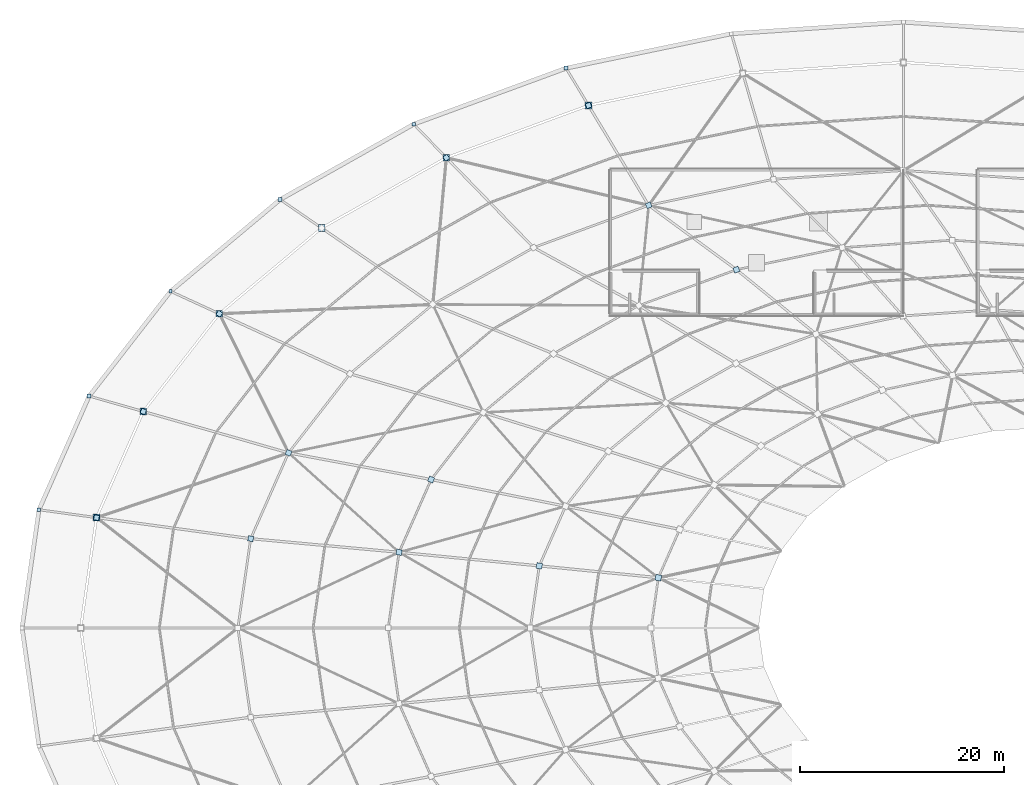
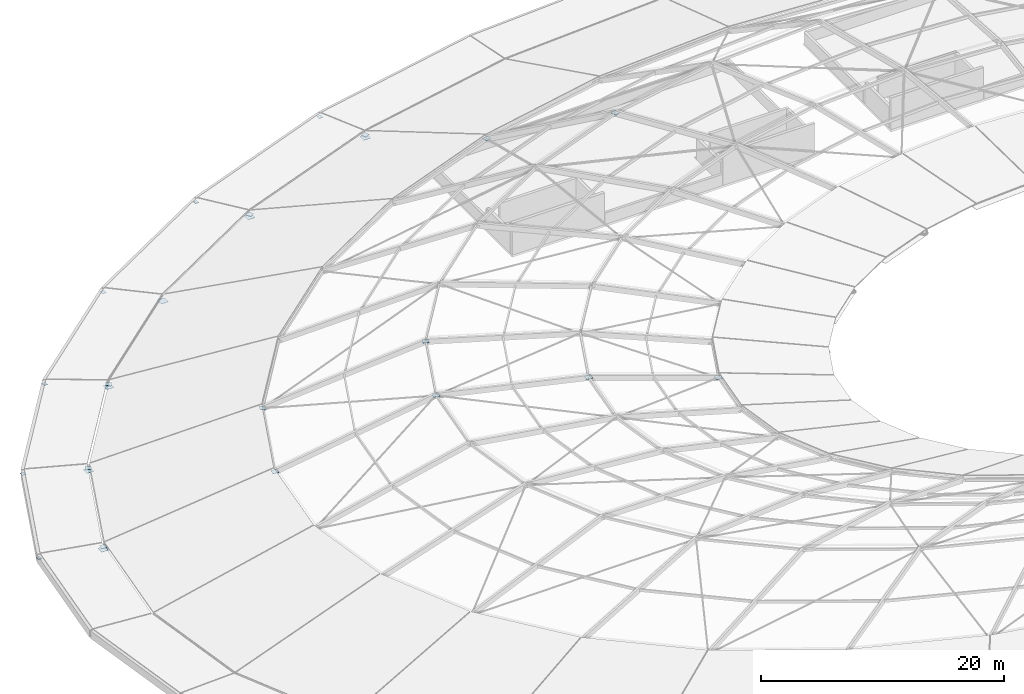
# One storey, part 20 of 30: 25 plates.
"""IFC4 building model written with IfcOpenShell, lengths in metres."""

from ifc_helpers import new_model, si_unit, direction, frame, origin, origin_2d, place, context, subcontext, project, spatial, rectangle, extrude, material, layer, layer_set, type_object, element, save


model = new_model("IFC4")

# Units and contexts
model_context = context("Model", 3, precision=1e-05, world=origin(), true_north=direction((0.0, 1.0)))
body_context = subcontext(model_context, "Body", "Model", "MODEL_VIEW")
ifc_project = project(units=[si_unit("LENGTHUNIT", "METRE"), si_unit("AREAUNIT", "SQUARE_METRE"), si_unit("VOLUMEUNIT", "CUBIC_METRE"), si_unit("PLANEANGLEUNIT", "RADIAN"), si_unit("MASSUNIT", "GRAM", prefix="KILO")], contexts=[model_context])

# Site, building, storey
site_placement = place(None, origin())
site = spatial("IfcSite", under=ifc_project, at=site_placement, CompositionType="ELEMENT")
building_placement = place(site_placement, origin())
building = spatial("IfcBuilding", under=site, at=building_placement, Name="Namkhue Oval Health Centre", CompositionType="ELEMENT")
storey_placement = place(building_placement, frame((0.0, 0.0, 26.39990234375)))
storey = spatial("IfcBuildingStorey", under=building, at=storey_placement, Name="RF", CompositionType="ELEMENT", Elevation=26.39990234375)

# Plates
ifc_material = material(Name="Structural steel EN 10025-2 S355JR (TCVN 5575:2024)", Category="steel")
ifc_layer_1 = layer(ifc_material, 0.02490234375)
ifc_layer_set_1 = layer_set([ifc_layer_1], Name="Structural steel EN 10025-2 S355JR (TCVN 5575:2024)")
plate_type_1 = type_object("IfcPlateType", Name="BASE SPLICE PLATE 660X660X25", PredefinedType="USERDEFINED", material=ifc_layer_set_1)
for number, where, z_axis, x_axis, name in (
    (1, (55.54052734375, 110.619873046875, 0.047607421875), (0.0, 0.0, 1.0), (1.0, 0.0, 0.0), "Gridshell OR Ring Bearing Plate 11"),
    (2, (41.598876953125, 105.49658203125, 0.047607421875), (0.0, 0.0, 1.0), (1.0, 0.0, 0.0), "Gridshell OR Ring Bearing Plate 12"),
    (3, (29.37890625, 98.60205078125, 0.047607421875), (0.0, 0.0, 1.0), (1.0, 0.0, 0.0), "Gridshell OR Ring Bearing Plate 13"),
    (4, (19.350341796875, 90.200927734375, 0.047607421875), (0.0, 0.0, 1.0), (1.0, 0.0, 0.0), "Gridshell OR Ring Bearing Plate 14"),
    (5, (11.8984375, 80.615966796875, 0.047607421875), (0.0, 0.0, 1.0), (1.0, 0.0, 0.0), "Gridshell OR Ring Bearing Plate 15"),
    (6, (7.3095703125, 70.2158203125, 0.047607421875), (0.0, 0.0, 1.0), (1.0, 0.0, 0.0), "Gridshell OR Ring Bearing Plate 16"),
):
    element("IfcPlate", number, at=place(storey_placement, frame(where, z_axis=z_axis, x_axis=x_axis)), inside=storey, type_object=plate_type_1, Name=name, ObjectType="BASE_PLATE", PredefinedType="USERDEFINED", context=body_context, shape_type="SweptSolid", body=[
        extrude(rectangle(XDim=0.659912109375, YDim=0.659912109375, at=origin_2d()), origin(), (0.0, 0.0, 1.0), 0.02490234375),
    ])
ifc_layer_2 = layer(ifc_material, 0.02001953125)
ifc_layer_set_2 = layer_set([ifc_layer_2], Name="Structural steel EN 10025-2 S355JR (TCVN 5575:2024)")
plate_type_2 = type_object("IfcPlateType", Name="GRIDSHELL GUSSET PLATE 500X500X20", PredefinedType="USERDEFINED", material=ifc_layer_set_2)
for number, where, z_axis, x_axis, name in (
    (7, (55.54052734375, 110.619873046875, 0.31005859375), (0.0, 0.0, 1.0), (-0.382683432365, 0.923879532511, 0.0), "Gridshell Node Gusset Plate K1-11"),
    (8, (41.598876953125, 105.49658203125, 0.31005859375), (0.0, 0.0, 1.0), (-0.55557023302, 0.831469612303, 0.0), "Gridshell Node Gusset Plate K1-12"),
    (9, (19.350341796875, 90.200927734375, 0.31005859375), (0.0, 0.0, 1.0), (-0.831469612303, 0.55557023302, 0.0), "Gridshell Node Gusset Plate K1-14"),
    (10, (11.8984375, 80.615966796875, 0.31005859375), (0.0, 0.0, 1.0), (-0.923879532511, 0.382683432365, 0.0), "Gridshell Node Gusset Plate K1-15"),
    (11, (7.3095703125, 70.2158203125, 0.31005859375), (0.0, 0.0, 1.0), (-0.980785280403, 0.195090322016, 0.0), "Gridshell Node Gusset Plate K1-16"),
):
    element("IfcPlate", number, at=place(storey_placement, frame(where, z_axis=z_axis, x_axis=x_axis)), inside=storey, type_object=plate_type_2, Name=name, ObjectType="GUSSET_PLATE", PredefinedType="USERDEFINED", context=body_context, shape_type="SweptSolid", body=[
        extrude(rectangle(XDim=0.5, YDim=0.5, at=origin_2d()), origin(), (0.0, 0.0, 1.0), 0.02001953125),
    ])
ifc_layer_3 = layer(ifc_material, 0.02197265625)
ifc_layer_set_3 = layer_set([ifc_layer_3], Name="Structural steel EN 10025-2 S355JR (TCVN 5575:2024)")
plate_type_3 = type_object("IfcPlateType", Name="GRIDSHELL GUSSET PLATE 520X520X22", PredefinedType="USERDEFINED", material=ifc_layer_set_3)
for number, where, z_axis, x_axis, name in (
    (12, (61.436767578125, 100.833251953125, 3.80908203125), (0.0, 0.0, 1.0), (-0.382683432365, 0.923879532511, 0.0), "Gridshell Node Gusset Plate K2-11"),
    (13, (26.133544921875, 76.562255859375, 3.80908203125), (0.0, 0.0, 1.0), (-0.923879532511, 0.382683432365, 0.0), "Gridshell Node Gusset Plate K2-15"),
    (14, (22.42138671875, 68.149169921875, 3.80908203125), (0.0, 0.0, 1.0), (-0.980785280403, 0.195090322016, 0.0), "Gridshell Node Gusset Plate K2-16"),
):
    element("IfcPlate", number, at=place(storey_placement, frame(where, z_axis=z_axis, x_axis=x_axis)), inside=storey, type_object=plate_type_3, Name=name, ObjectType="GUSSET_PLATE", PredefinedType="USERDEFINED", context=body_context, shape_type="SweptSolid", body=[
        extrude(rectangle(XDim=0.52001953125, YDim=0.52001953125, at=origin_2d()), origin(), (0.0, 0.0, 1.0), 0.02197265625),
    ])
ifc_layer_4 = layer(ifc_material, 0.02197265625)
ifc_layer_set_4 = layer_set([ifc_layer_4], Name="Structural steel EN 10025-2 S355JR (TCVN 5575:2024)")
plate_type_4 = type_object("IfcPlateType", Name="GRIDSHELL GUSSET PLATE 540X540X22", PredefinedType="USERDEFINED", material=ifc_layer_set_4)
for number, where, z_axis, x_axis, name in (
    (15, (70.0390625, 94.522216796875, 7.209228515625), (0.0, 0.0, 1.0), (-0.382683432365, 0.923879532511, 0.0), "Gridshell Node Gusset Plate K3-11"),
    (16, (40.113037109375, 73.947998046875, 7.209228515625), (0.0, 0.0, 1.0), (-0.923879532511, 0.382683432365, 0.0), "Gridshell Node Gusset Plate K3-15"),
    (17, (36.966552734375, 66.816650390625, 7.209228515625), (0.0, 0.0, 1.0), (-0.980785280403, 0.195090322016, 0.0), "Gridshell Node Gusset Plate K3-16"),
):
    element("IfcPlate", number, at=place(storey_placement, frame(where, z_axis=z_axis, x_axis=x_axis)), inside=storey, type_object=plate_type_4, Name=name, ObjectType="GUSSET_PLATE", PredefinedType="USERDEFINED", context=body_context, shape_type="SweptSolid", body=[
        extrude(rectangle(XDim=0.5400390625, YDim=0.5400390625, at=origin_2d()), origin(), (0.0, 0.0, 1.0), 0.02197265625),
    ])
ifc_layer_5 = layer(ifc_material, 0.02392578125)
ifc_layer_set_5 = layer_set([ifc_layer_5], Name="Structural steel EN 10025-2 S355JR (TCVN 5575:2024)")
plate_type_5 = type_object("IfcPlateType", Name="GRIDSHELL GUSSET PLATE 560X560X24", PredefinedType="USERDEFINED", material=ifc_layer_set_5)
plate_1_placement = place(storey_placement, frame((50.711669921875, 65.48388671875, 5.008056640625), z_axis=(0.0, 0.0, 1.0), x_axis=(-0.980785280403, 0.195090322016, 0.0)))
element("IfcPlate", 18, at=plate_1_placement, inside=storey, type_object=plate_type_5, Name="Gridshell Node Gusset Plate K4-16", ObjectType="GUSSET_PLATE", PredefinedType="USERDEFINED", context=body_context, shape_type="SweptSolid", body=[
    extrude(rectangle(XDim=0.56005859375, YDim=0.56005859375, at=origin_2d()), origin(), (0.0, 0.0, 1.0), 0.02392578125),
])
ifc_layer_6 = layer(ifc_material, 0.02392578125)
ifc_layer_set_6 = layer_set([ifc_layer_6], Name="Structural steel EN 10025-2 S355JR (TCVN 5575:2024)")
plate_type_6 = type_object("IfcPlateType", Name="GRIDSHELL GUSSET PLATE 580X580X24", PredefinedType="USERDEFINED", material=ifc_layer_set_6)
plate_2_placement = place(storey_placement, frame((62.385498046875, 64.324951171875, 1.608154296875), z_axis=(0.0, 0.0, 1.0), x_axis=(-0.980785280403, 0.195090322016, 0.0)))
element("IfcPlate", 19, at=plate_2_placement, inside=storey, type_object=plate_type_6, Name="Gridshell Node Gusset Plate K5-16", ObjectType="GUSSET_PLATE", PredefinedType="USERDEFINED", context=body_context, shape_type="SweptSolid", body=[
    extrude(rectangle(XDim=0.580078125, YDim=0.580078125, at=origin_2d()), origin(), (0.0, 0.0, 1.0), 0.02392578125),
])
ifc_layer_7 = layer(ifc_material, 0.02001953125)
ifc_layer_set_7 = layer_set([ifc_layer_7], Name="Structural steel EN 10025-2 S355JR (TCVN 5575:2024)")
plate_type_7 = type_object("IfcPlateType", Name="STEEL END CAP PLATE 340X340X20", PredefinedType="USERDEFINED", material=ifc_layer_set_7)
for number, where, z_axis, x_axis, name in (
    (20, (38.398681640625, 108.789306640625, 0.655029296875), (0.0, 0.0, 1.0), (1.0, 0.0, 0.0), "Outer Eaves Strut Cap Plate 12"),
    (21, (14.56103515625, 92.40087890625, 0.655029296875), (0.0, 0.0, 1.0), (1.0, 0.0, 0.0), "Outer Eaves Strut Cap Plate 14"),
    (22, (1.66015625, 70.98828125, 0.655029296875), (0.0, 0.0, 1.0), (1.0, 0.0, 0.0), "Outer Eaves Strut Cap Plate 16"),
):
    element("IfcPlate", number, at=place(storey_placement, frame(where, z_axis=z_axis, x_axis=x_axis)), inside=storey, type_object=plate_type_7, Name=name, ObjectType="BASE_PLATE", PredefinedType="USERDEFINED", context=body_context, shape_type="SweptSolid", body=[
        extrude(rectangle(XDim=0.340087890625, YDim=0.340087890625, at=origin_2d()), origin(), (0.0, 0.0, 1.0), 0.02001953125),
    ])
ifc_layer_8 = layer(ifc_material, 0.02197265625)
ifc_layer_set_8 = layer_set([ifc_layer_8], Name="Structural steel EN 10025-2 S355JR (TCVN 5575:2024)")
plate_type_8 = type_object("IfcPlateType", Name="STEEL END CAP PLATE 380X380X22", PredefinedType="USERDEFINED", material=ifc_layer_set_8)
for number, where, z_axis, x_axis, name in (
    (23, (53.336181640625, 114.278564453125, 0.654052734375), (0.0, 0.0, 1.0), (1.0, 0.0, 0.0), "Outer Eaves Strut Cap Plate 11"),
    (24, (25.305908203125, 101.402099609375, 0.654052734375), (0.0, 0.0, 1.0), (1.0, 0.0, 0.0), "Outer Eaves Strut Cap Plate 13"),
    (25, (6.576904296875, 82.13134765625, 0.654052734375), (0.0, 0.0, 1.0), (1.0, 0.0, 0.0), "Outer Eaves Strut Cap Plate 15"),
):
    element("IfcPlate", number, at=place(storey_placement, frame(where, z_axis=z_axis, x_axis=x_axis)), inside=storey, type_object=plate_type_8, Name=name, ObjectType="BASE_PLATE", PredefinedType="USERDEFINED", context=body_context, shape_type="SweptSolid", body=[
        extrude(rectangle(XDim=0.3798828125, YDim=0.3798828125, at=origin_2d()), origin(), (0.0, 0.0, 1.0), 0.02197265625),
    ])

save(model, "model.ifc")
